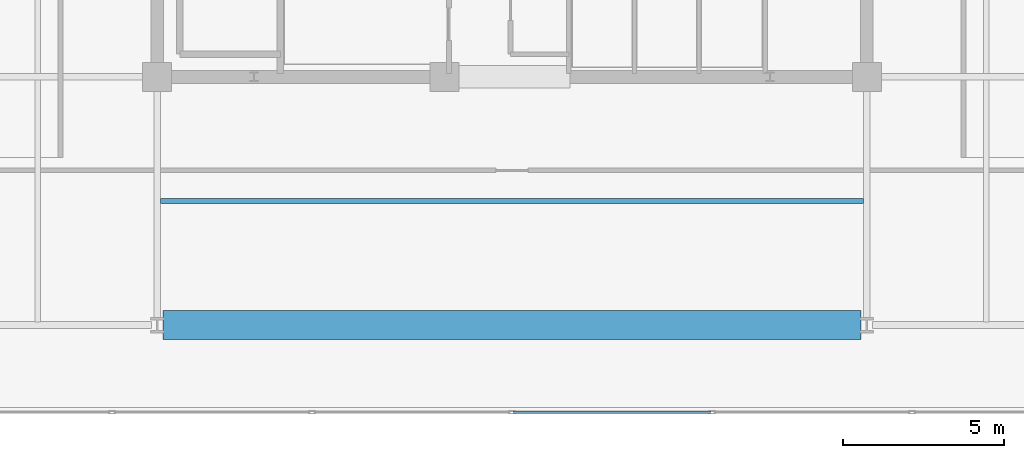
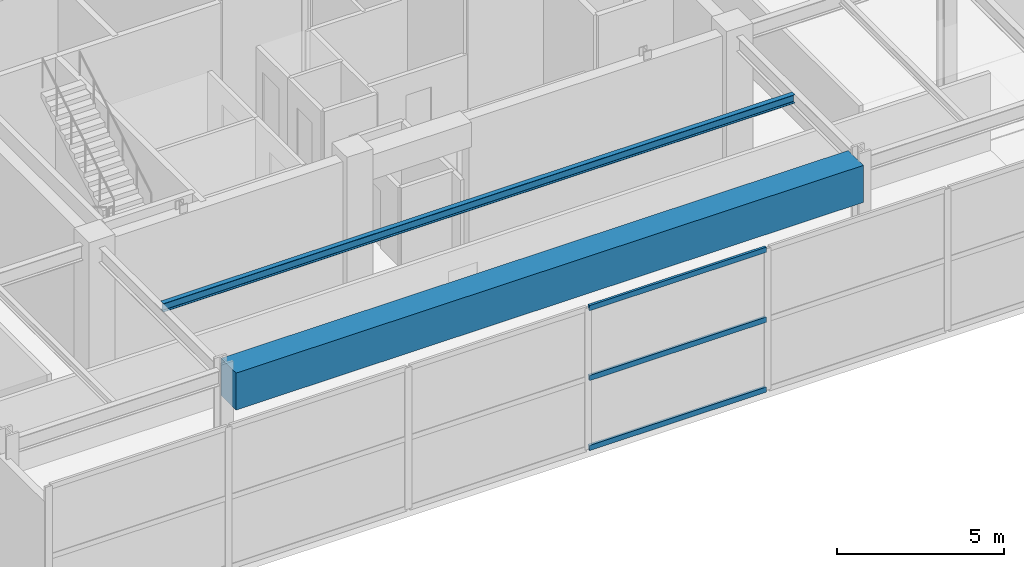
# One storey, part 5 of 24: 3 members, 2 beams, 1 element without a shape of its own.
"""IFC4 building model written with IfcOpenShell, lengths in metres."""

from ifc_helpers import new_model, si_unit, direction, frame, origin, origin_2d, place, context, subcontext, project, spatial, rectangle, hollow_rectangle, i_section, extrude, material, material_profile, profile_set, type_object, element, aggregate, save


model = new_model("IFC4")

# Units and contexts
model_context = context("Model", 3, precision=1e-05, world=origin(), true_north=direction((0.0, 1.0)))
body_context = subcontext(model_context, "Body", "Model", "MODEL_VIEW")
ifc_project = project(units=[si_unit("LENGTHUNIT", "METRE"), si_unit("AREAUNIT", "SQUARE_METRE"), si_unit("VOLUMEUNIT", "CUBIC_METRE"), si_unit("PLANEANGLEUNIT", "RADIAN"), si_unit("MASSUNIT", "GRAM", prefix="KILO")], contexts=[model_context])

# Site, building, storey
site_placement = place(None, origin())
site = spatial("IfcSite", under=ifc_project, at=site_placement, CompositionType="ELEMENT")
building_placement = place(site_placement, origin())
building = spatial("IfcBuilding", under=site, at=building_placement, Name="Kovane Verandah Tower", CompositionType="ELEMENT")
storey_placement = place(building_placement, frame((0.0, 0.0, 348.800048828125)))
storey = spatial("IfcBuildingStorey", under=building, at=storey_placement, Name="L81", CompositionType="ELEMENT", Elevation=348.800048828125)

# Beam
ifc_material_1 = material(Name="Concrete C80/95", Category="concrete")
ifc_material_profile_1 = material_profile(ifc_material_1, rectangle(XDim=0.89990234375, YDim=1.35009765625, at=origin_2d()), Name="RCB900x1350")
ifc_profile_set_1 = profile_set([ifc_material_profile_1], Name="Concrete C80/95")
beam_type_1 = type_object("IfcBeamType", Name="BM-TR-900x1350", PredefinedType="BEAM", material=ifc_profile_set_1)
beam_1_placement = place(storey_placement, frame((29.179931640625, 10.800048828125, 4.52490234375), z_axis=(1.0, 0.0, 0.0), x_axis=(0.0, 1.0, 0.0)))
element("IfcBeam", 1, at=beam_1_placement, inside=storey, type_object=beam_type_1, Name="L81 Primary Tower Girder G-RS2", PredefinedType="BEAM", context=body_context, shape_type="SweptSolid", body=[
    extrude(rectangle(XDim=0.89990234375, YDim=1.35009765625, at=origin_2d()), origin(), (0.0, 0.0, 1.0), 21.64013671875),
])

# Curtain wall, members
ifc_material_2 = material(Name="Champagne Anodised Aluminium Frame with Low-E Clear Laminated Glass", Category="aluminium")
curtain_wall_type = type_object("IfcCurtainWallType", Name="CW-SYS-06-CROWN", PredefinedType="NOTDEFINED", material=ifc_material_2)
curtain_wall_placement = place(storey_placement, origin())
curtain_wall = element("IfcCurtainWall", 2, at=curtain_wall_placement, inside=storey, type_object=curtain_wall_type, Name="L81 S Unitised Curtain Wall", PredefinedType="NOTDEFINED")
ifc_material_3 = material(Name="Champagne Anodised Aluminium 6063-T6", Category="aluminium")
ifc_material_profile_2 = material_profile(ifc_material_3, hollow_rectangle(XDim=0.0849609375, YDim=0.18994140625, WallThickness=0.00390625, at=origin_2d()), Name="AL85x190x4")
ifc_profile_set_2 = profile_set([ifc_material_profile_2], Name="Champagne Anodised Aluminium 6063-T6")
member_type = type_object("IfcMemberType", Name="CW-TRN-85x190", PredefinedType="USERDEFINED", material=ifc_profile_set_2)
member_1_placement = place(storey_placement, frame((40.050048828125, 8.10009765625, 0.050048828125), z_axis=(1.0, 0.0, 0.0), x_axis=(0.0, 1.0, 0.0)))
member_1 = element("IfcMember", 3, at=member_1_placement, type_object=member_type, Name="L81 S Unitised Curtain Wall Transom TB Bay 4", ObjectType="TRANSOM", PredefinedType="USERDEFINED", context=body_context, shape_type="SweptSolid", body=[
    extrude(hollow_rectangle(XDim=0.0849609375, YDim=0.18994140625, WallThickness=0.00390625, at=origin_2d()), origin(), (0.0, 0.0, 1.0), 6.099853515625),
])
member_2_placement = place(storey_placement, frame((40.050048828125, 8.10009765625, 2.599853515625), z_axis=(1.0, 0.0, 0.0), x_axis=(0.0, 1.0, 0.0)))
member_2 = element("IfcMember", 4, at=member_2_placement, type_object=member_type, Name="L81 S Unitised Curtain Wall Transom TM Bay 4", ObjectType="TRANSOM", PredefinedType="USERDEFINED", context=body_context, shape_type="SweptSolid", body=[
    extrude(hollow_rectangle(XDim=0.0849609375, YDim=0.18994140625, WallThickness=0.00390625, at=origin_2d()), origin(), (0.0, 0.0, 1.0), 6.099853515625),
])
member_3_placement = place(storey_placement, frame((40.050048828125, 8.10009765625, 5.14990234375), z_axis=(1.0, 0.0, 0.0), x_axis=(0.0, 1.0, 0.0)))
member_3 = element("IfcMember", 5, at=member_3_placement, type_object=member_type, Name="L81 S Unitised Curtain Wall Transom TT Bay 4", ObjectType="TRANSOM", PredefinedType="USERDEFINED", context=body_context, shape_type="SweptSolid", body=[
    extrude(hollow_rectangle(XDim=0.0849609375, YDim=0.18994140625, WallThickness=0.00390625, at=origin_2d()), origin(), (0.0, 0.0, 1.0), 6.099853515625),
])
aggregate(curtain_wall, [member_1, member_2, member_3])

# Beam
ifc_material_4 = material(Name="Steel S355", Category="steel")
ifc_material_profile_3 = material_profile(ifc_material_4, i_section(OverallWidth=0.1669921875, OverallDepth=0.310302734375, WebThickness=0.0078125, FlangeThickness=0.013671875, FilletRadius=0.0087890625, at=origin_2d()), Name="UB305x165x54")
ifc_profile_set_3 = profile_set([ifc_material_profile_3], Name="Steel S355")
beam_type_2 = type_object("IfcBeamType", Name="JST-UB305x54", PredefinedType="JOIST", material=ifc_profile_set_3)
beam_2_placement = place(storey_placement, frame((29.10400390625, 14.64990234375, 5.044677734375), z_axis=(1.0, 0.0, 0.0), x_axis=(0.0, 1.0, 0.0)))
element("IfcBeam", 6, at=beam_2_placement, inside=storey, type_object=beam_type_2, Name="L81 Secondary Composite Joist J-S1", PredefinedType="JOIST", context=body_context, shape_type="SweptSolid", body=[
    extrude(i_section(OverallWidth=0.1669921875, OverallDepth=0.310302734375, WebThickness=0.0078125, FlangeThickness=0.013671875, FilletRadius=0.0087890625, at=origin_2d()), origin(), (0.0, 0.0, 1.0), 21.7919921875),
])

save(model, "model.ifc")
